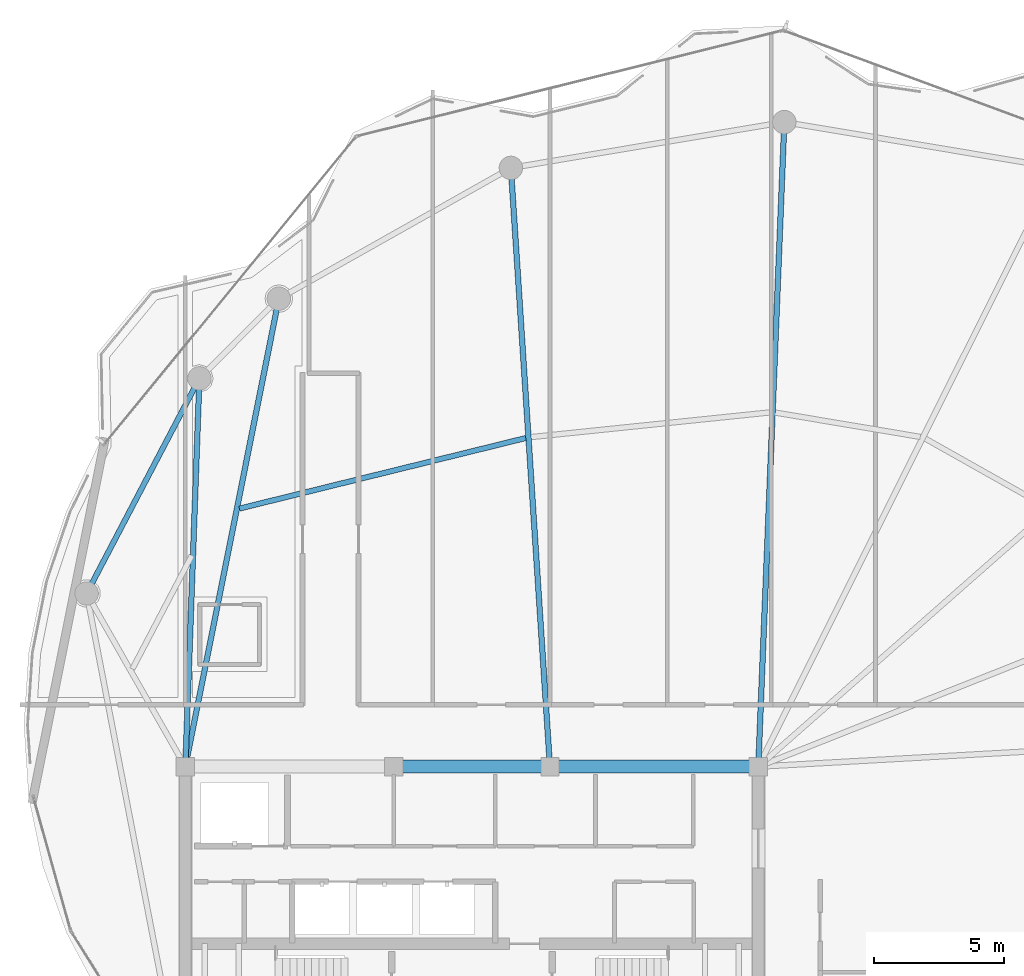
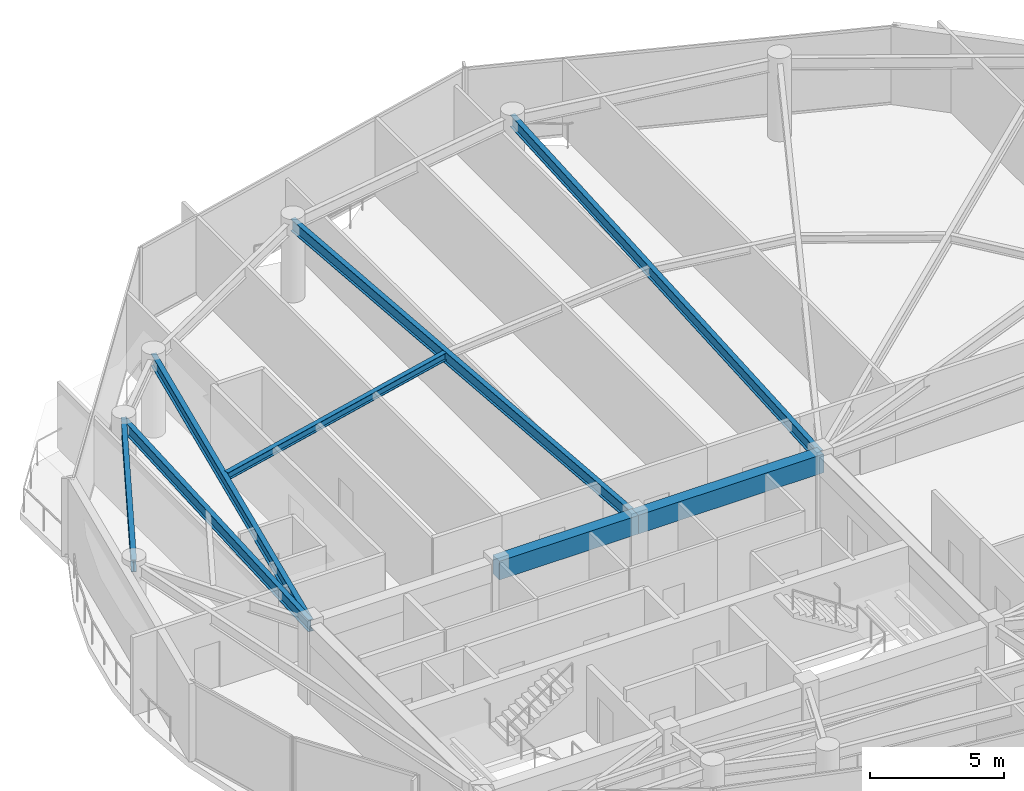
# One storey, part 10 of 29: 8 beams.
"""IFC4 building model written with IfcOpenShell, lengths in metres."""

from ifc_helpers import new_model, si_unit, direction, frame, origin, origin_2d, place, context, subcontext, project, spatial, rectangle, i_section, extrude, material, material_profile, profile_set, type_object, element, save


model = new_model("IFC4")

# Units and contexts
model_context = context("Model", 3, precision=1e-05, world=origin(), true_north=direction((0.0, 1.0)))
body_context = subcontext(model_context, "Body", "Model", "MODEL_VIEW")
ifc_project = project(units=[si_unit("LENGTHUNIT", "METRE"), si_unit("AREAUNIT", "SQUARE_METRE"), si_unit("VOLUMEUNIT", "CUBIC_METRE"), si_unit("PLANEANGLEUNIT", "RADIAN"), si_unit("MASSUNIT", "GRAM", prefix="KILO")], contexts=[model_context])

# Site, building, storey
site_placement = place(None, origin())
site = spatial("IfcSite", under=ifc_project, at=site_placement, CompositionType="ELEMENT")
building_placement = place(site_placement, origin())
building = spatial("IfcBuilding", under=site, at=building_placement, Name="Kazevale Care Tower and Concert Hall", CompositionType="ELEMENT")
storey_placement = place(building_placement, frame((0.0, 0.0, 281.39990234375)))
storey = spatial("IfcBuildingStorey", under=building, at=storey_placement, Name="L74", CompositionType="ELEMENT", Elevation=281.39990234375)

# Beams
ifc_material_1 = material(Name="Concrete C60", Category="concrete")
ifc_material_profile_1 = material_profile(ifc_material_1, rectangle(XDim=0.5, YDim=0.85009765625, at=origin_2d()), Name="RC-B500x850")
ifc_profile_set_1 = profile_set([ifc_material_profile_1], Name="Concrete C60")
beam_type_1 = type_object("IfcBeamType", Name="Core Coupling Beam RC500x850", PredefinedType="LINTEL", material=ifc_profile_set_1)
beam_1_placement = place(storey_placement, frame((44.0, 36.39990234375, 3.135009765625), z_axis=(-1.0, 0.0, 0.0), x_axis=(0.0, -1.0, 0.0)))
element("IfcBeam", 1, at=beam_1_placement, inside=storey, type_object=beam_type_1, Name="beam:L74:coretie:5", PredefinedType="LINTEL", context=body_context, shape_type="SweptSolid", body=[
    extrude(rectangle(XDim=0.5, YDim=0.85009765625, at=origin_2d()), origin(), (0.0, 0.0, 1.0), 8.0),
])
beam_2_placement = place(storey_placement, frame((36.0, 36.39990234375, 3.135009765625), z_axis=(-1.0, 0.0, 0.0), x_axis=(0.0, -1.0, 0.0)))
element("IfcBeam", 2, at=beam_2_placement, inside=storey, type_object=beam_type_1, Name="beam:L74:coretie:6", PredefinedType="LINTEL", context=body_context, shape_type="SweptSolid", body=[
    extrude(rectangle(XDim=0.5, YDim=0.85009765625, at=origin_2d()), origin(), (0.0, 0.0, 1.0), 6.0),
])
ifc_material_2 = material(Name="Steel ASTM A572 Gr 50", Category="steel")
ifc_material_profile_2 = material_profile(ifc_material_2, i_section(OverallWidth=0.2119140625, OverallDepth=0.5439453125, WebThickness=0.01318359375, FlangeThickness=0.021240234375, at=origin_2d()), Name="W530x123")
ifc_profile_set_2 = profile_set([ifc_material_profile_2], Name="Steel ASTM A572 Gr 50")
beam_type_2 = type_object("IfcBeamType", Name="Radial Floor Girder W530x123", PredefinedType="BEAM", material=ifc_profile_set_2)
beam_3_placement = place(storey_placement, frame((44.0, 36.39990234375, 3.2880859375), z_axis=(0.040371101203, 0.999184754781, 0.0), x_axis=(-0.999184754781, 0.040371101203, 0.0)))
element("IfcBeam", 3, at=beam_3_placement, inside=storey, type_object=beam_type_2, Name="beam:L74:rad:05", PredefinedType="BEAM", context=body_context, shape_type="SweptSolid", body=[
    extrude(i_section(OverallWidth=0.2119140625, OverallDepth=0.5439453125, WebThickness=0.01318359375, FlangeThickness=0.021240234375, at=origin_2d()), origin(), (0.0, 0.0, 1.0), 24.770263671875),
])
beam_4_placement = place(storey_placement, frame((36.0, 36.39990234375, 3.2880859375), z_axis=(-0.0651073525, 0.997878265446, 0.0), x_axis=(-0.997878265446, -0.0651073525, 0.0)))
element("IfcBeam", 4, at=beam_4_placement, inside=storey, type_object=beam_type_2, Name="beam:L74:rad:06", PredefinedType="BEAM", context=body_context, shape_type="SweptSolid", body=[
    extrude(i_section(OverallWidth=0.2119140625, OverallDepth=0.5439453125, WebThickness=0.01318359375, FlangeThickness=0.021240234375, at=origin_2d()), origin(), (0.0, 0.0, 1.0), 23.038818359375),
])
beam_5_placement = place(storey_placement, frame((22.0, 36.39990234375, 3.2880859375), z_axis=(0.195908605871, 0.980622158706, 0.0), x_axis=(-0.980622158706, 0.195908605871, 0.0)))
element("IfcBeam", 5, at=beam_5_placement, inside=storey, type_object=beam_type_2, Name="beam:L74:rad:07", PredefinedType="BEAM", context=body_context, shape_type="SweptSolid", body=[
    extrude(i_section(OverallWidth=0.2119140625, OverallDepth=0.5439453125, WebThickness=0.01318359375, FlangeThickness=0.021240234375, at=origin_2d()), origin(), (0.0, 0.0, 1.0), 18.325439453125),
])
beam_6_placement = place(storey_placement, frame((22.0, 36.39990234375, 3.2880859375), z_axis=(0.036195810092, 0.999344716968, 0.0), x_axis=(-0.999344716968, 0.036195810092, 0.0)))
element("IfcBeam", 6, at=beam_6_placement, inside=storey, type_object=beam_type_2, Name="beam:L74:rad:08", PredefinedType="BEAM", context=body_context, shape_type="SweptSolid", body=[
    extrude(i_section(OverallWidth=0.2119140625, OverallDepth=0.5439453125, WebThickness=0.01318359375, FlangeThickness=0.021240234375, at=origin_2d()), origin(), (0.0, 0.0, 1.0), 14.919921875),
])
ifc_material_profile_3 = material_profile(ifc_material_2, i_section(OverallWidth=0.205078125, OverallDepth=0.35400390625, WebThickness=0.009521484375, FlangeThickness=0.016845703125, at=origin_2d()), Name="W360x79")
ifc_profile_set_3 = profile_set([ifc_material_profile_3], Name="Steel ASTM A572 Gr 50")
beam_type_3 = type_object("IfcBeamType", Name="Secondary Floor Joist W360x79", PredefinedType="JOIST", material=ifc_profile_set_3)
beam_7_placement = place(storey_placement, frame((35.072998046875, 49.01904296875, 3.383056640625), z_axis=(-0.970953581022, -0.239267932452, 0.0), x_axis=(0.239267932452, -0.970953581022, 0.0)))
element("IfcBeam", 7, at=beam_7_placement, inside=storey, type_object=beam_type_3, Name="beam:L74:joist:06", PredefinedType="JOIST", context=body_context, shape_type="SweptSolid", body=[
    extrude(i_section(OverallWidth=0.205078125, OverallDepth=0.35400390625, WebThickness=0.009521484375, FlangeThickness=0.016845703125, at=origin_2d()), origin(), (0.0, 0.0, 1.0), 11.326171875),
])
ifc_material_profile_4 = material_profile(ifc_material_2, i_section(OverallWidth=0.208984375, OverallDepth=0.532958984375, WebThickness=0.01025390625, FlangeThickness=0.015625, at=origin_2d()), Name="W530x92")
ifc_profile_set_4 = profile_set([ifc_material_profile_4], Name="Steel ASTM A572 Gr 50")
beam_type_4 = type_object("IfcBeamType", Name="Upper Ring Beam W530x92", PredefinedType="BEAM", material=ifc_profile_set_4)
beam_8_placement = place(storey_placement, frame((22.5400390625, 51.31005859375, 3.293701171875), z_axis=(-0.464293577914, -0.885681361161, 0.0), x_axis=(0.885681361161, -0.464293577914, 0.0)))
element("IfcBeam", 8, at=beam_8_placement, inside=storey, type_object=beam_type_4, Name="beam:L74:ring:08", PredefinedType="BEAM", context=body_context, shape_type="SweptSolid", body=[
    extrude(i_section(OverallWidth=0.208984375, OverallDepth=0.532958984375, WebThickness=0.01025390625, FlangeThickness=0.015625, at=origin_2d()), origin(), (0.0, 0.0, 1.0), 9.326171875),
])

save(model, "model.ifc")
